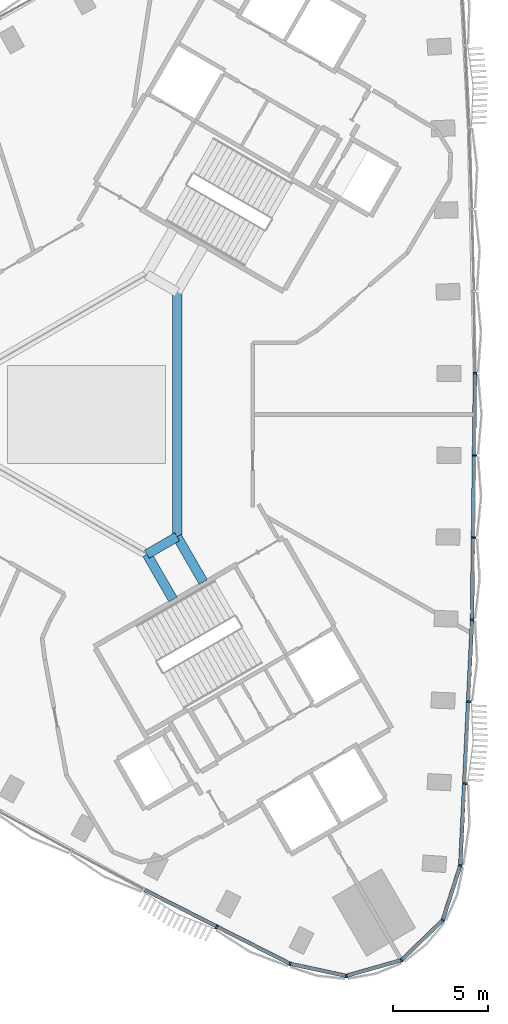
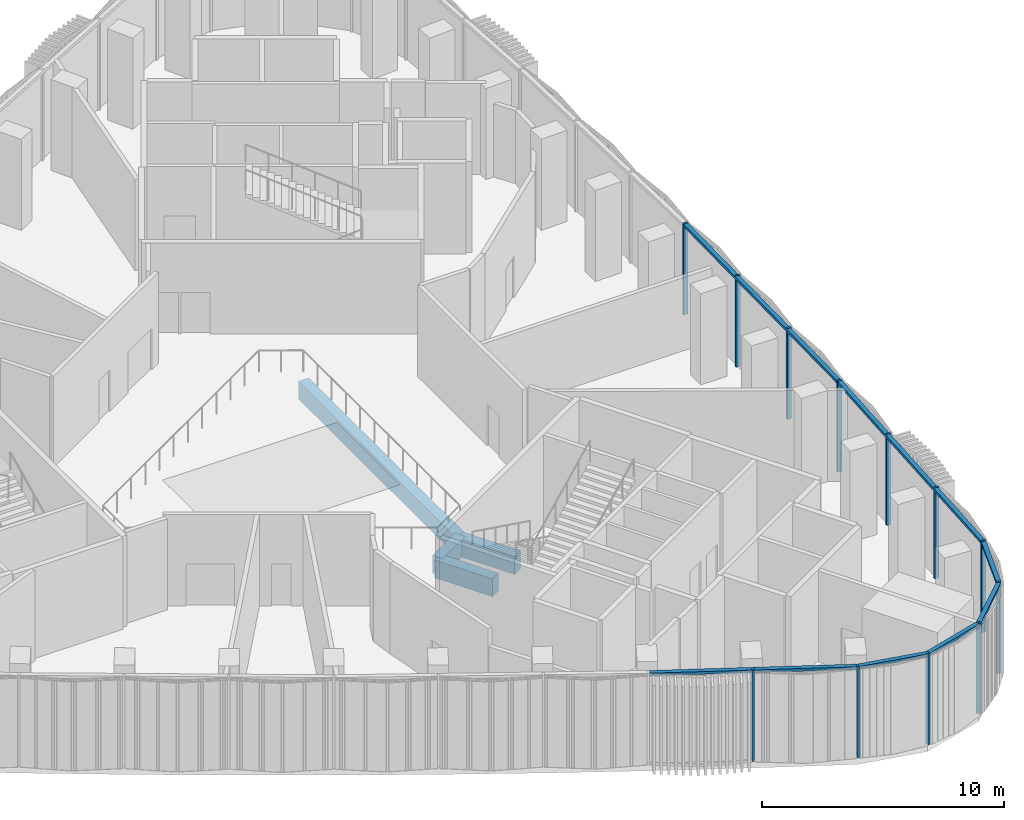
# One storey, part 3 of 17: 19 members, 4 beams, 2 elements without a shape of their own.
"""IFC4 building model written with IfcOpenShell, lengths in metres."""

from ifc_helpers import new_model, si_unit, direction, frame, origin, origin_2d, place, context, subcontext, project, spatial, rectangle, extrude, material, material_profile, profile_set, type_object, element, aggregate, save


model = new_model("IFC4")

# Units and contexts
model_context = context("Model", 3, precision=1e-05, world=origin(), true_north=direction((0.0, 1.0)))
body_context = subcontext(model_context, "Body", "Model", "MODEL_VIEW")
ifc_project = project(units=[si_unit("LENGTHUNIT", "METRE"), si_unit("AREAUNIT", "SQUARE_METRE"), si_unit("VOLUMEUNIT", "CUBIC_METRE"), si_unit("PLANEANGLEUNIT", "RADIAN"), si_unit("MASSUNIT", "GRAM", prefix="KILO")], contexts=[model_context])

# Site, building, storey
site_placement = place(None, origin())
site = spatial("IfcSite", under=ifc_project, at=site_placement, CompositionType="ELEMENT")
building_placement = place(site_placement, origin())
building = spatial("IfcBuilding", under=site, at=building_placement, Name="Tamra Quay Hotel Tower", CompositionType="ELEMENT")
storey_placement = place(building_placement, frame((0.0, 0.0, 123.800048828125)))
storey = spatial("IfcBuildingStorey", under=building, at=storey_placement, Name="L30", CompositionType="ELEMENT", Elevation=123.800048828125)

# Beams
ifc_material_1 = material(Name="Concrete M60", Category="concrete")
ifc_material_profile_1 = material_profile(ifc_material_1, rectangle(XDim=0.5, YDim=0.89990234375, at=origin_2d()), Name="ATRIUM EDGE BEAM RC 500x900")
ifc_profile_set_1 = profile_set([ifc_material_profile_1], Name="Concrete M60")
beam_type_1 = type_object("IfcBeamType", Name="ATRIUM EDGE BEAM RC 500x900", PredefinedType="BEAM", material=ifc_profile_set_1)
beam_1_placement = place(storey_placement, frame((4.800048828125, 6.46630859375, -0.85009765625), z_axis=(0.0, -1.0, 0.0), x_axis=(1.0, 0.0, 0.0)))
element("IfcBeam", 1, at=beam_1_placement, inside=storey, type_object=beam_type_1, Name="BM-AB0-L30", PredefinedType="BEAM", context=body_context, shape_type="SweptSolid", body=[
    extrude(rectangle(XDim=0.5, YDim=0.89990234375, at=origin_2d()), origin(), (0.0, 0.0, 1.0), 12.9326171875),
])
beam_2_placement = place(storey_placement, frame((4.800048828125, -6.46630859375, -0.85009765625), z_axis=(-0.86602275259, -0.500004591975, 0.0), x_axis=(0.500004591975, -0.86602275259, 0.0)))
element("IfcBeam", 2, at=beam_2_placement, inside=storey, type_object=beam_type_1, Name="BM-AB1-L30", PredefinedType="BEAM", context=body_context, shape_type="SweptSolid", body=[
    extrude(rectangle(XDim=0.5, YDim=0.89990234375, at=origin_2d()), origin(), (0.0, 0.0, 1.0), 1.84765625),
])
ifc_material_profile_2 = material_profile(ifc_material_1, rectangle(XDim=0.5, YDim=0.89990234375, at=origin_2d()), Name="ATRIUM TIE BEAM RC 500x900")
ifc_profile_set_2 = profile_set([ifc_material_profile_2], Name="Concrete M60")
beam_type_2 = type_object("IfcBeamType", Name="ATRIUM TIE BEAM RC 500x900", PredefinedType="BEAM", material=ifc_profile_set_2)
for number, where, z_axis, x_axis, name in (
    (3, (4.800048828125, -6.46630859375, -0.85009765625), (0.500008091576, -0.86602073206, 0.0), (0.86602073206, 0.500008091576, 0.0), "BM-TIE-1-L30"),
    (4, (3.199951171875, -7.39013671875, -0.85009765625), (0.500008091576, -0.86602073206, 0.0), (0.86602073206, 0.500008091576, 0.0), "BM-TIE-2-L30"),
):
    element("IfcBeam", number, at=place(storey_placement, frame(where, z_axis=z_axis, x_axis=x_axis)), inside=storey, type_object=beam_type_2, Name=name, PredefinedType="BEAM", context=body_context, shape_type="SweptSolid", body=[
        extrude(rectangle(XDim=0.5, YDim=0.89990234375, at=origin_2d()), origin(), (0.0, 0.0, 1.0), 2.76220703125),
    ])

# Curtain wall, members
ifc_material_2 = material(Name="Aluminium 6063 anodised dark grey", Category="aluminium")
curtain_wall_type_1 = type_object("IfcCurtainWallType", Name="CW1 CURTAIN WALL", PredefinedType="NOTDEFINED", material=ifc_material_2)
curtain_wall_1_placement = place(storey_placement, origin())
curtain_wall_1 = element("IfcCurtainWall", 5, at=curtain_wall_1_placement, inside=storey, type_object=curtain_wall_type_1, Name="CW1 east face L30", PredefinedType="NOTDEFINED")
ifc_material_profile_3 = material_profile(ifc_material_2, rectangle(XDim=0.199951171875, YDim=0.10009765625, at=origin_2d()), Name="MULLION 100X200")
ifc_profile_set_3 = profile_set([ifc_material_profile_3], Name="Aluminium 6063 anodised dark grey")
member_type_1 = type_object("IfcMemberType", Name="MULLION CW1 Z3", PredefinedType="MULLION", material=ifc_profile_set_3)
member_1_placement = place(storey_placement, frame((19.768798828125, -23.84716796875, 0.0), z_axis=(0.0, 0.0, 1.0), x_axis=(0.982883182456, -0.184229882605, 0.0)))
member_1 = element("IfcMember", 6, at=member_1_placement, type_object=member_type_1, Name="CW1 mullion L30.E.1", PredefinedType="MULLION", context=body_context, shape_type="SweptSolid", body=[
    extrude(rectangle(XDim=0.199951171875, YDim=0.10009765625, at=origin_2d()), origin(), (0.0, 0.0, 1.0), 4.599853515625),
])
member_2_placement = place(storey_placement, frame((20.027587890625, -19.51611328125, 0.0), z_axis=(0.0, 0.0, 1.0), x_axis=(0.998557358413, -0.053695455667, 0.0)))
member_2 = element("IfcMember", 7, at=member_2_placement, type_object=member_type_1, Name="CW1 mullion L30.E.2", PredefinedType="MULLION", context=body_context, shape_type="SweptSolid", body=[
    extrude(rectangle(XDim=0.199951171875, YDim=0.10009765625, at=origin_2d()), origin(), (0.0, 0.0, 1.0), 4.599853515625),
])
member_3_placement = place(storey_placement, frame((20.234619140625, -15.182373046875, 0.0), z_axis=(0.0, 0.0, 1.0), x_axis=(0.999126139254, -0.041796624973, 0.0)))
member_3 = element("IfcMember", 8, at=member_3_placement, type_object=member_type_1, Name="CW1 mullion L30.E.3", PredefinedType="MULLION", context=body_context, shape_type="SweptSolid", body=[
    extrude(rectangle(XDim=0.199951171875, YDim=0.10009765625, at=origin_2d()), origin(), (0.0, 0.0, 1.0), 4.599853515625),
])
member_4_placement = place(storey_placement, frame((20.39013671875, -10.845947265625, 0.0), z_axis=(0.0, 0.0, 1.0), x_axis=(0.999553760095, -0.029871067595, 0.0)))
member_4 = element("IfcMember", 9, at=member_4_placement, type_object=member_type_1, Name="CW1 mullion L30.E.4", PredefinedType="MULLION", context=body_context, shape_type="SweptSolid", body=[
    extrude(rectangle(XDim=0.199951171875, YDim=0.10009765625, at=origin_2d()), origin(), (0.0, 0.0, 1.0), 4.599853515625),
])
member_5_placement = place(storey_placement, frame((20.493896484375, -6.5078125, 0.0), z_axis=(0.0, 0.0, 1.0), x_axis=(0.999839298268, -0.017927008656, 0.0)))
member_5 = element("IfcMember", 10, at=member_5_placement, type_object=member_type_1, Name="CW1 mullion L30.E.5", PredefinedType="MULLION", context=body_context, shape_type="SweptSolid", body=[
    extrude(rectangle(XDim=0.199951171875, YDim=0.10009765625, at=origin_2d()), origin(), (0.0, 0.0, 1.0), 4.599853515625),
])
member_6_placement = place(storey_placement, frame((20.545654296875, -2.169677734375, 0.0), z_axis=(0.0, 0.0, 1.0), x_axis=(0.999982127721, -0.005978648518, 0.0)))
member_6 = element("IfcMember", 11, at=member_6_placement, type_object=member_type_1, Name="CW1 mullion L30.E.6", PredefinedType="MULLION", context=body_context, shape_type="SweptSolid", body=[
    extrude(rectangle(XDim=0.199951171875, YDim=0.10009765625, at=origin_2d()), origin(), (0.0, 0.0, 1.0), 4.599853515625),
])
member_7_placement = place(storey_placement, frame((20.545654296875, 2.169677734375, 0.0), z_axis=(0.0, 0.0, 1.0), x_axis=(0.999982127721, 0.005978648518, 0.0)))
member_7 = element("IfcMember", 12, at=member_7_placement, type_object=member_type_1, Name="CW1 mullion L30.E.7", PredefinedType="MULLION", context=body_context, shape_type="SweptSolid", body=[
    extrude(rectangle(XDim=0.199951171875, YDim=0.10009765625, at=origin_2d()), origin(), (0.0, 0.0, 1.0), 4.599853515625),
])

curtain_wall_type_2 = type_object("IfcCurtainWallType", Name="CW3 CURTAIN WALL", PredefinedType="NOTDEFINED", material=ifc_material_2)
curtain_wall_2_placement = place(storey_placement, origin())
curtain_wall_2 = element("IfcCurtainWall", 13, at=curtain_wall_2_placement, inside=storey, type_object=curtain_wall_type_2, Name="CW3 south-west face L30", PredefinedType="NOTDEFINED")
ifc_material_profile_4 = material_profile(ifc_material_2, rectangle(XDim=0.199951171875, YDim=0.10009765625, at=origin_2d()), Name="MULLION 100X200")
ifc_profile_set_4 = profile_set([ifc_material_profile_4], Name="Aluminium 6063 anodised dark grey")
member_type_2 = type_object("IfcMemberType", Name="MULLION CW3 Z3", PredefinedType="MULLION", material=ifc_profile_set_4)
member_8_placement = place(storey_placement, frame((6.8876953125, -27.102294921875, 0.0), z_axis=(0.0, 0.0, 1.0), x_axis=(-0.452777050531, -0.891623767355, 0.0)))
member_8 = element("IfcMember", 14, at=member_8_placement, type_object=member_type_2, Name="CW3 mullion L30.SW.11", PredefinedType="MULLION", context=body_context, shape_type="SweptSolid", body=[
    extrude(rectangle(XDim=0.199951171875, YDim=0.10009765625, at=origin_2d()), origin(), (0.0, 0.0, 1.0), 4.599853515625),
])
member_9_placement = place(storey_placement, frame((10.767822265625, -29.043701171875, 0.0), z_axis=(0.0, 0.0, 1.0), x_axis=(-0.331893832756, -0.943316746262, 0.0)))
member_9 = element("IfcMember", 15, at=member_9_placement, type_object=member_type_2, Name="CW3 mullion L30.SW.12", PredefinedType="MULLION", context=body_context, shape_type="SweptSolid", body=[
    extrude(rectangle(XDim=0.199951171875, YDim=0.10009765625, at=origin_2d()), origin(), (0.0, 0.0, 1.0), 4.599853515625),
])
member_10_placement = place(storey_placement, frame((13.736572265625, -29.68505859375, 0.0), z_axis=(0.0, 0.0, 1.0), x_axis=(0.032727311619, -0.99946431806, 0.0)))
member_10 = element("IfcMember", 16, at=member_10_placement, type_object=member_type_2, Name="CW3 mullion L30.SW.13", PredefinedType="MULLION", context=body_context, shape_type="SweptSolid", body=[
    extrude(rectangle(XDim=0.199951171875, YDim=0.10009765625, at=origin_2d()), origin(), (0.0, 0.0, 1.0), 4.599853515625),
])
member_11_placement = place(storey_placement, frame((16.6572265625, -28.85107421875, 0.0), z_axis=(0.0, 0.0, 1.0), x_axis=(0.5, -0.866025403784, 0.0)))
member_11 = element("IfcMember", 17, at=member_11_placement, type_object=member_type_2, Name="CW3 mullion L30.SW.14", PredefinedType="MULLION", context=body_context, shape_type="SweptSolid", body=[
    extrude(rectangle(XDim=0.199951171875, YDim=0.10009765625, at=origin_2d()), origin(), (0.0, 0.0, 1.0), 4.599853515625),
])
member_12_placement = place(storey_placement, frame((18.839599609375, -26.73876953125, 0.0), z_axis=(0.0, 0.0, 1.0), x_axis=(0.849197833806, -0.52807484229, 0.0)))
member_12 = element("IfcMember", 18, at=member_12_placement, type_object=member_type_2, Name="CW3 mullion L30.SW.15", PredefinedType="MULLION", context=body_context, shape_type="SweptSolid", body=[
    extrude(rectangle(XDim=0.199951171875, YDim=0.10009765625, at=origin_2d()), origin(), (0.0, 0.0, 1.0), 4.599853515625),
])

# Member
ifc_material_profile_5 = material_profile(ifc_material_2, rectangle(XDim=0.199951171875, YDim=0.139892578125, at=origin_2d()), Name="TRANSOM 200X140")
ifc_profile_set_5 = profile_set([ifc_material_profile_5], Name="Aluminium 6063 anodised dark grey")
member_type_3 = type_object("IfcMemberType", Name="TRANSOM CW1 Z3", PredefinedType="USERDEFINED", material=ifc_profile_set_5)
member_13_placement = place(storey_placement, frame((19.771728515625, -23.79736328125, 4.530029296875), z_axis=(0.047746556912, 0.998859482762, 0.0), x_axis=(-0.998859482762, 0.047746556912, 0.0)))
member_13 = element("IfcMember", 19, at=member_13_placement, type_object=member_type_3, Name="CW1 transom L30.E.1", ObjectType="TRANSOM", PredefinedType="USERDEFINED", context=body_context, shape_type="SweptSolid", body=[
    extrude(rectangle(XDim=0.199951171875, YDim=0.139892578125, at=origin_2d()), origin(), (0.0, 0.0, 1.0), 12.916015625),
])

member_14_placement = place(storey_placement, frame((20.391357421875, -10.7958984375, 4.530029296875), z_axis=(0.011945765846, 0.999928646794, 0.0), x_axis=(-0.999928646794, 0.011945765846, 0.0)))
member_14 = element("IfcMember", 20, at=member_14_placement, type_object=member_type_3, Name="CW1 transom L30.E.4", ObjectType="TRANSOM", PredefinedType="USERDEFINED", context=body_context, shape_type="SweptSolid", body=[
    extrude(rectangle(XDim=0.199951171875, YDim=0.139892578125, at=origin_2d()), origin(), (0.0, 0.0, 1.0), 12.91650390625),
])

aggregate(curtain_wall_1, [member_1, member_13, member_2, member_3, member_4, member_14, member_5, member_6, member_7])

ifc_material_profile_6 = material_profile(ifc_material_2, rectangle(XDim=0.199951171875, YDim=0.139892578125, at=origin_2d()), Name="TRANSOM 200X140")
ifc_profile_set_6 = profile_set([ifc_material_profile_6], Name="Aluminium 6063 anodised dark grey")
member_type_4 = type_object("IfcMemberType", Name="TRANSOM CW3 Z3", PredefinedType="USERDEFINED", material=ifc_profile_set_6)
member_15_placement = place(storey_placement, frame((3.075439453125, -25.1376953125, 4.530029296875), z_axis=(0.891614619804, -0.452795063746, 0.0), x_axis=(0.452795063746, 0.891614619804, 0.0)))
member_15 = element("IfcMember", 21, at=member_15_placement, type_object=member_type_4, Name="CW3 transom L30.SW.10", ObjectType="TRANSOM", PredefinedType="USERDEFINED", context=body_context, shape_type="SweptSolid", body=[
    extrude(rectangle(XDim=0.199951171875, YDim=0.139892578125, at=origin_2d()), origin(), (0.0, 0.0, 1.0), 8.577392578125),
])

member_16_placement = place(storey_placement, frame((10.816650390625, -29.054443359375, 4.530029296875), z_axis=(0.977477692928, -0.211038763805, 0.0), x_axis=(0.211038763805, 0.977477692928, 0.0)))
member_16 = element("IfcMember", 22, at=member_16_placement, type_object=member_type_4, Name="CW3 transom L30.SW.12", ObjectType="TRANSOM", PredefinedType="USERDEFINED", context=body_context, shape_type="SweptSolid", body=[
    extrude(rectangle(XDim=0.199951171875, YDim=0.139892578125, at=origin_2d()), origin(), (0.0, 0.0, 1.0), 2.937255859375),
])

member_17_placement = place(storey_placement, frame((13.78466796875, -29.671142578125, 4.530029296875), z_axis=(0.961577249686, 0.274534502179, 0.0), x_axis=(-0.274534502179, 0.961577249686, 0.0)))
member_17 = element("IfcMember", 23, at=member_17_placement, type_object=member_type_4, Name="CW3 transom L30.SW.13", ObjectType="TRANSOM", PredefinedType="USERDEFINED", context=body_context, shape_type="SweptSolid", body=[
    extrude(rectangle(XDim=0.199951171875, YDim=0.139892578125, at=origin_2d()), origin(), (0.0, 0.0, 1.0), 2.937255859375),
])

member_18_placement = place(storey_placement, frame((16.693115234375, -28.816162109375, 4.530029296875), z_axis=(0.718565963149, 0.695458810141, 0.0), x_axis=(-0.695458810141, 0.718565963149, 0.0)))
member_18 = element("IfcMember", 24, at=member_18_placement, type_object=member_type_4, Name="CW3 transom L30.SW.14", ObjectType="TRANSOM", PredefinedType="USERDEFINED", context=body_context, shape_type="SweptSolid", body=[
    extrude(rectangle(XDim=0.199951171875, YDim=0.139892578125, at=origin_2d()), origin(), (0.0, 0.0, 1.0), 2.937255859375),
])

member_19_placement = place(storey_placement, frame((18.85498046875, -26.691162109375, 4.530029296875), z_axis=(0.305885409164, 0.952068336024, 0.0), x_axis=(-0.952068336024, 0.305885409164, 0.0)))
member_19 = element("IfcMember", 25, at=member_19_placement, type_object=member_type_4, Name="CW3 transom L30.SW.15", ObjectType="TRANSOM", PredefinedType="USERDEFINED", context=body_context, shape_type="SweptSolid", body=[
    extrude(rectangle(XDim=0.199951171875, YDim=0.139892578125, at=origin_2d()), origin(), (0.0, 0.0, 1.0), 2.937255859375),
])

aggregate(curtain_wall_2, [member_15, member_8, member_9, member_16, member_10, member_17, member_11, member_18, member_12, member_19])

save(model, "model.ifc")
